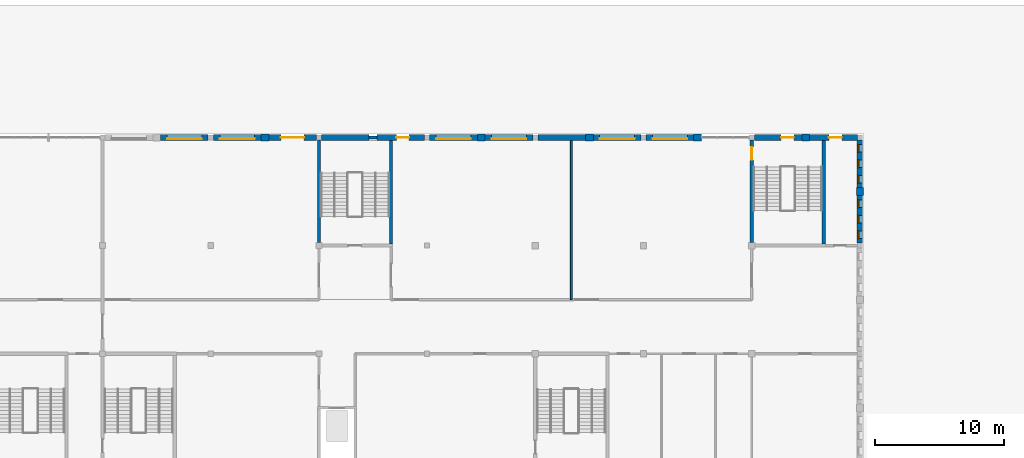
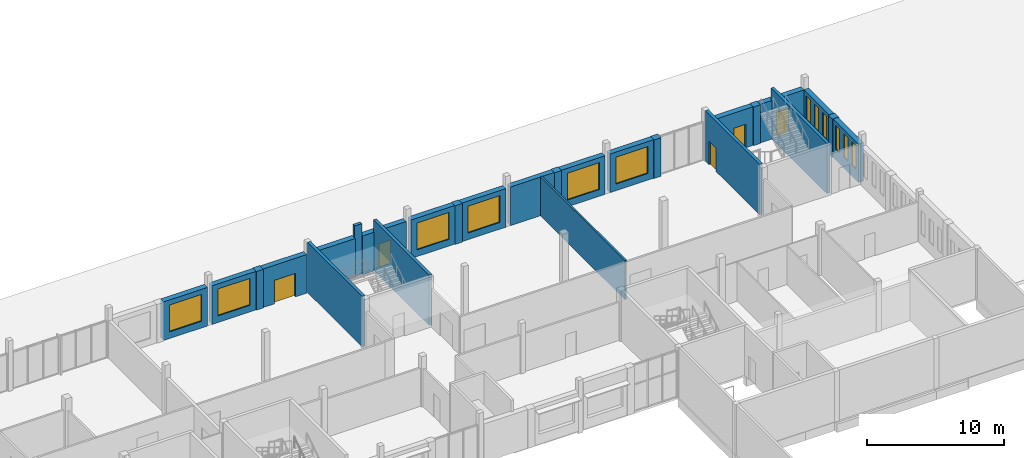
# One storey, part 90 of 101: 26 walls, 12 windows, 5 doors, 17 openings.
"""IFC4 building model written with IfcOpenShell, lengths in metres."""

from ifc_helpers import new_model, si_unit, direction, frame, frame_2d, origin, place, context, subcontext, project, spatial, rectangle, extrude, material, layer, layer_set, type_object, element, fill, save


model = new_model("IFC4")

# Units and contexts
model_context = context("Model", 3, precision=1e-05, world=origin(), true_north=direction((0.0, 1.0)))
body_context = subcontext(model_context, "Body", "Model", "MODEL_VIEW")
ifc_project = project(units=[si_unit("LENGTHUNIT", "METRE"), si_unit("AREAUNIT", "SQUARE_METRE"), si_unit("VOLUMEUNIT", "CUBIC_METRE"), si_unit("PLANEANGLEUNIT", "RADIAN"), si_unit("MASSUNIT", "GRAM", prefix="KILO")], contexts=[model_context])

# Site, building, storey
site_placement = place(None, origin())
site = spatial("IfcSite", under=ifc_project, at=site_placement, CompositionType="ELEMENT")
building_placement = place(site_placement, origin())
building = spatial("IfcBuilding", under=site, at=building_placement, Name="Fescue Hill Polytechnic", CompositionType="ELEMENT")
storey_placement = place(building_placement, frame((0.0, 0.0, 9.0)))
storey = spatial("IfcBuildingStorey", under=building, at=storey_placement, Name="L02", CompositionType="ELEMENT", Elevation=9.0)

# Walls
ifc_material_1 = material(Name="Clay brick masonry", Category="masonry")
ifc_layer_1 = layer(ifc_material_1, 0.550048828125)
ifc_layer_set_1 = layer_set([ifc_layer_1], Name="Clay brick masonry")
wall_type_1 = type_object("IfcWallType", Name="Brick pier 600x550", PredefinedType="SOLIDWALL", material=ifc_layer_set_1)
wall_1_placement = place(storey_placement, frame((117.60009765625, 129.89990234375, 0.0), z_axis=(0.0, 0.0, 1.0), x_axis=(0.0, 1.0, 0.0)))
element("IfcWall", 1, at=wall_1_placement, inside=storey, type_object=wall_type_1, Name="PR-L02-V4b-3", PredefinedType="SOLIDWALL", context=body_context, shape_type="SweptSolid", body=[
    extrude(rectangle(XDim=0.60009765625, YDim=0.550048828125, at=frame_2d((0.300048828125, 0.0))), origin(), (0.0, 0.0, 1.0), 3.449951171875),
])
wall_2_placement = place(storey_placement, frame((113.699951171875, 134.39990234375, 0.0), z_axis=(0.0, 0.0, 1.0), x_axis=(-1.0, 0.0, 0.0)))
element("IfcWall", 2, at=wall_2_placement, inside=storey, type_object=wall_type_1, Name="PR-L02-V4b-4", PredefinedType="SOLIDWALL", context=body_context, shape_type="SweptSolid", body=[
    extrude(rectangle(XDim=0.599853515625, YDim=0.550048828125, at=frame_2d((0.2998046875, 0.0))), origin(), (0.0, 0.0, 1.0), 3.449951171875),
])
wall_3_placement = place(storey_placement, frame((105.300048828125, 134.39990234375, 0.0), z_axis=(0.0, 0.0, 1.0), x_axis=(-1.0, 0.0, 0.0)))
element("IfcWall", 3, at=wall_3_placement, inside=storey, type_object=wall_type_1, Name="PR-L02-V4b-5", PredefinedType="SOLIDWALL", context=body_context, shape_type="SweptSolid", body=[
    extrude(rectangle(XDim=0.60009765625, YDim=0.550048828125, at=frame_2d((0.300048828125, 0.0))), origin(), (0.0, 0.0, 1.0), 3.449951171875),
])
wall_4_placement = place(storey_placement, frame((96.89990234375, 134.39990234375, 0.0), z_axis=(0.0, 0.0, 1.0), x_axis=(-1.0, 0.0, 0.0)))
element("IfcWall", 4, at=wall_4_placement, inside=storey, type_object=wall_type_1, Name="PR-L02-V4b-6", PredefinedType="SOLIDWALL", context=body_context, shape_type="SweptSolid", body=[
    extrude(rectangle(XDim=0.599853515625, YDim=0.550048828125, at=frame_2d((0.2998046875, 0.0))), origin(), (0.0, 0.0, 1.0), 3.449951171875),
])
wall_5_placement = place(storey_placement, frame((88.5, 134.39990234375, 0.0), z_axis=(0.0, 0.0, 1.0), x_axis=(-1.0, 0.0, 0.0)))
element("IfcWall", 5, at=wall_5_placement, inside=storey, type_object=wall_type_1, Name="PR-L02-V4b-7", PredefinedType="SOLIDWALL", context=body_context, shape_type="SweptSolid", body=[
    extrude(rectangle(XDim=0.60009765625, YDim=0.550048828125, at=frame_2d((0.300048828125, 0.0))), origin(), (0.0, 0.0, 1.0), 3.449951171875),
])
wall_6_placement = place(storey_placement, frame((71.699951171875, 134.39990234375, 0.0), z_axis=(0.0, 0.0, 1.0), x_axis=(-1.0, 0.0, 0.0)))
element("IfcWall", 6, at=wall_6_placement, inside=storey, type_object=wall_type_1, Name="PR-L02-V4b-9", PredefinedType="SOLIDWALL", context=body_context, shape_type="SweptSolid", body=[
    extrude(rectangle(XDim=0.599853515625, YDim=0.550048828125, at=frame_2d((0.2998046875, 0.0))), origin(), (0.0, 0.0, 1.0), 3.449951171875),
])

# Wall, opening, door
ifc_material_2 = material(Name="Concrete 40 MPa", Category="concrete")
ifc_layer_2 = layer(ifc_material_2, 0.25)
ifc_layer_set_2 = layer_set([ifc_layer_2], Name="Concrete 40 MPa")
wall_type_2 = type_object("IfcWallType", Name="Core wall 250", PredefinedType="SHEAR", material=ifc_layer_set_2)
wall_7_placement = place(storey_placement, frame((109.199951171875, 126.25, 0.0), z_axis=(0.0, 0.0, 1.0), x_axis=(0.0, 1.0, 0.0)))
wall_7 = element("IfcWall", 7, at=wall_7_placement, inside=storey, type_object=wall_type_2, Name="CW-L02-ST-V4b-2-31", PredefinedType="SHEAR", context=body_context, shape_type="SweptSolid", body=[
    extrude(rectangle(XDim=7.949951171875, YDim=0.25, at=frame_2d((3.97509765625, 0.0))), origin(), (0.0, 0.0, 1.0), 4.5),
])
opening_1_placement = place(wall_7_placement, frame((6.39990234375, 0.0, 0.0)))
opening_1 = element("IfcOpeningElement", 8, at=opening_1_placement, cuts=wall_7, Name="Opening D2096", PredefinedType="OPENING", context=body_context, shape_type="SweptSolid", body=[
    extrude(rectangle(XDim=1.0, YDim=2.10009765625, at=frame_2d((0.5, 1.050048828125))), frame((0.0, 0.135009765625, 0.0), z_axis=(0.0, -1.0, 0.0), x_axis=(1.0, 0.0, 0.0)), (0.0, 0.0, 1.0), 0.27001953125),
])
ifc_material_3 = material(Name="Steel fire door", Category="steel")
door_type_1 = type_object("IfcDoorType", Name="Door single swing 1000x2100 stair fire rated", OperationType="NOTDEFINED", PredefinedType="DOOR", material=ifc_material_3)
door_1_placement = place(opening_1_placement, origin())
door_1 = element("IfcDoor", 9, at=door_1_placement, inside=storey, type_object=door_type_1, Name="L02 ST-V4b-2 stair door", OperationType="SINGLE_SWING_RIGHT", OverallHeight=2.10009765625, OverallWidth=1.0, PredefinedType="DOOR", context=body_context, shape_type="SweptSolid", body=[
    extrude(rectangle(XDim=1.0, YDim=2.10009765625, at=frame_2d((0.5, 1.050048828125))), frame((0.0, 0.02490234375, 0.0), z_axis=(0.0, -1.0, 0.0), x_axis=(1.0, 0.0, 0.0)), (0.0, 0.0, 1.0), 0.050048828125),
])
fill(opening_1, door_1)

# Walls
wall_8_placement = place(storey_placement, frame((114.800048828125, 126.125, 0.0), z_axis=(0.0, 0.0, 1.0), x_axis=(0.0, 1.0, 0.0)))
element("IfcWall", 10, at=wall_8_placement, inside=storey, type_object=wall_type_2, Name="CW-L02-ST-V4b-2-41", PredefinedType="SHEAR", context=body_context, shape_type="SweptSolid", body=[
    extrude(rectangle(XDim=8.14990234375, YDim=0.25, at=frame_2d((4.074951171875, 0.0))), origin(), (0.0, 0.0, 1.0), 4.5),
])
wall_9_placement = place(storey_placement, frame((75.60009765625, 126.22509765625, 0.0), z_axis=(0.0, 0.0, 1.0), x_axis=(0.0, 1.0, 0.0)))
element("IfcWall", 11, at=wall_9_placement, inside=storey, type_object=wall_type_2, Name="CW-L02-ST-V4b-4-31", PredefinedType="SHEAR", context=body_context, shape_type="SweptSolid", body=[
    extrude(rectangle(XDim=7.974853515625, YDim=0.25, at=frame_2d((3.9873046875, 0.0))), origin(), (0.0, 0.0, 1.0), 4.5),
])
wall_10_placement = place(storey_placement, frame((81.199951171875, 126.125, 0.0), z_axis=(0.0, 0.0, 1.0), x_axis=(0.0, 1.0, 0.0)))
element("IfcWall", 12, at=wall_10_placement, inside=storey, type_object=wall_type_2, Name="CW-L02-ST-V4b-4-41", PredefinedType="SHEAR", context=body_context, shape_type="SweptSolid", body=[
    extrude(rectangle(XDim=8.14990234375, YDim=0.25, at=frame_2d((4.074951171875, 0.0))), origin(), (0.0, 0.0, 1.0), 4.5),
])
wall_11_placement = place(storey_placement, frame((79.5, 134.39990234375, 0.0), z_axis=(0.0, 0.0, 1.0), x_axis=(1.0, 0.0, 0.0)))
element("IfcWall", 13, at=wall_11_placement, inside=storey, type_object=wall_type_2, Name="SCW-L02-ST-V4b-4-n1", PredefinedType="SHEAR", context=body_context, shape_type="SweptSolid", body=[
    extrude(rectangle(XDim=0.60009765625, YDim=0.25, at=frame_2d((0.300048828125, 0.0))), origin(), (0.0, 0.0, 1.0), 4.5),
])

# Wall, opening, window
ifc_layer_3 = layer(ifc_material_2, 0.449951171875)
ifc_layer_set_3 = layer_set([ifc_layer_3], Name="Concrete 40 MPa")
wall_type_3 = type_object("IfcWallType", Name="Exterior wall board-marked concrete 450", PredefinedType="SOLIDWALL", material=ifc_layer_set_3)
wall_12_placement = place(storey_placement, frame((104.699951171875, 134.39990234375, 0.0), z_axis=(0.0, 0.0, 1.0), x_axis=(-1.0, 0.0, 0.0)))
wall_12 = element("IfcWall", 14, at=wall_12_placement, inside=storey, type_object=wall_type_3, Name="EW-L02-V4b-10", PredefinedType="SOLIDWALL", context=body_context, shape_type="SweptSolid", body=[
    extrude(rectangle(XDim=3.699951171875, YDim=0.449951171875, at=frame_2d((1.85009765625, 0.0))), origin(), (0.0, 0.0, 1.0), 3.449951171875),
])
opening_2_placement = place(wall_12_placement, frame((0.5, 0.0, 0.60009765625)))
opening_2 = element("IfcOpeningElement", 15, at=opening_2_placement, cuts=wall_12, Name="Opening W16R", PredefinedType="OPENING", context=body_context, shape_type="SweptSolid", body=[
    extrude(rectangle(XDim=2.699951171875, YDim=2.39990234375, at=frame_2d((1.35009765625, 1.199951171875))), frame((0.0, 0.23486328125, 0.0), z_axis=(0.0, -1.0, 0.0), x_axis=(1.0, 0.0, 0.0)), (0.0, 0.0, 1.0), 0.469970703125),
])
ifc_material_4 = material(Name="Powder-coated aluminium and glass", Category="aluminium")
window_type_1 = type_object("IfcWindowType", Name="Window studio north-light 2700x2400", PartitioningType="TRIPLE_PANEL_VERTICAL", PredefinedType="WINDOW", material=ifc_material_4)
window_1_placement = place(opening_2_placement, origin())
window_1 = element("IfcWindow", 16, at=window_1_placement, inside=storey, type_object=window_type_1, Name="WN-L02-V4b-19", OverallHeight=2.39990234375, OverallWidth=2.699951171875, PartitioningType="SINGLE_PANEL", PredefinedType="WINDOW", context=body_context, shape_type="SweptSolid", body=[
    extrude(rectangle(XDim=2.699951171875, YDim=2.39990234375, at=frame_2d((1.35009765625, 1.199951171875))), frame((0.0, 0.135009765625, 0.0), z_axis=(0.0, -1.0, 0.0), x_axis=(1.0, 0.0, 0.0)), (0.0, 0.0, 1.0), 0.06005859375),
])
fill(opening_2, window_1)

wall_13_placement = place(storey_placement, frame((100.60009765625, 134.39990234375, 0.0), z_axis=(0.0, 0.0, 1.0), x_axis=(-1.0, 0.0, 0.0)))
wall_13 = element("IfcWall", 17, at=wall_13_placement, inside=storey, type_object=wall_type_3, Name="EW-L02-V4b-11", PredefinedType="SOLIDWALL", context=body_context, shape_type="SweptSolid", body=[
    extrude(rectangle(XDim=3.7001953125, YDim=0.449951171875, at=frame_2d((1.85009765625, 0.0))), origin(), (0.0, 0.0, 1.0), 3.449951171875),
])
opening_3_placement = place(wall_13_placement, frame((0.5, 0.0, 0.60009765625)))
opening_3 = element("IfcOpeningElement", 18, at=opening_3_placement, cuts=wall_13, Name="Opening W16R", PredefinedType="OPENING", context=body_context, shape_type="SweptSolid", body=[
    extrude(rectangle(XDim=2.699951171875, YDim=2.39990234375, at=frame_2d((1.35009765625, 1.199951171875))), frame((0.0, 0.23486328125, 0.0), z_axis=(0.0, -1.0, 0.0), x_axis=(1.0, 0.0, 0.0)), (0.0, 0.0, 1.0), 0.469970703125),
])
window_2_placement = place(opening_3_placement, origin())
window_2 = element("IfcWindow", 19, at=window_2_placement, inside=storey, type_object=window_type_1, Name="WN-L02-V4b-20", OverallHeight=2.39990234375, OverallWidth=2.699951171875, PartitioningType="SINGLE_PANEL", PredefinedType="WINDOW", context=body_context, shape_type="SweptSolid", body=[
    extrude(rectangle(XDim=2.699951171875, YDim=2.39990234375, at=frame_2d((1.35009765625, 1.199951171875))), frame((0.0, 0.135009765625, 0.0), z_axis=(0.0, -1.0, 0.0), x_axis=(1.0, 0.0, 0.0)), (0.0, 0.0, 1.0), 0.06005859375),
])
fill(opening_3, window_2)

# Wall
wall_14_placement = place(storey_placement, frame((96.300048828125, 134.39990234375, 0.0), z_axis=(0.0, 0.0, 1.0), x_axis=(-1.0, 0.0, 0.0)))
element("IfcWall", 20, at=wall_14_placement, inside=storey, type_object=wall_type_3, Name="EW-L02-V4b-12", PredefinedType="SOLIDWALL", context=body_context, shape_type="SweptSolid", body=[
    extrude(rectangle(XDim=3.699951171875, YDim=0.449951171875, at=frame_2d((1.85009765625, 0.0))), origin(), (0.0, 0.0, 1.0), 3.449951171875),
])

# Wall, opening, window
wall_15_placement = place(storey_placement, frame((92.199951171875, 134.39990234375, 0.0), z_axis=(0.0, 0.0, 1.0), x_axis=(-1.0, 0.0, 0.0)))
wall_15 = element("IfcWall", 21, at=wall_15_placement, inside=storey, type_object=wall_type_3, Name="EW-L02-V4b-13", PredefinedType="SOLIDWALL", context=body_context, shape_type="SweptSolid", body=[
    extrude(rectangle(XDim=3.699951171875, YDim=0.449951171875, at=frame_2d((1.85009765625, 0.0))), origin(), (0.0, 0.0, 1.0), 3.449951171875),
])
opening_4_placement = place(wall_15_placement, frame((0.5, 0.0, 0.60009765625)))
opening_4 = element("IfcOpeningElement", 22, at=opening_4_placement, cuts=wall_15, Name="Opening W16R", PredefinedType="OPENING", context=body_context, shape_type="SweptSolid", body=[
    extrude(rectangle(XDim=2.699951171875, YDim=2.39990234375, at=frame_2d((1.35009765625, 1.199951171875))), frame((0.0, 0.23486328125, 0.0), z_axis=(0.0, -1.0, 0.0), x_axis=(1.0, 0.0, 0.0)), (0.0, 0.0, 1.0), 0.469970703125),
])
window_3_placement = place(opening_4_placement, origin())
window_3 = element("IfcWindow", 23, at=window_3_placement, inside=storey, type_object=window_type_1, Name="WN-L02-V4b-21", OverallHeight=2.39990234375, OverallWidth=2.699951171875, PartitioningType="SINGLE_PANEL", PredefinedType="WINDOW", context=body_context, shape_type="SweptSolid", body=[
    extrude(rectangle(XDim=2.699951171875, YDim=2.39990234375, at=frame_2d((1.35009765625, 1.199951171875))), frame((0.0, 0.135009765625, 0.0), z_axis=(0.0, -1.0, 0.0), x_axis=(1.0, 0.0, 0.0)), (0.0, 0.0, 1.0), 0.06005859375),
])
fill(opening_4, window_3)

wall_16_placement = place(storey_placement, frame((87.89990234375, 134.39990234375, 0.0), z_axis=(0.0, 0.0, 1.0), x_axis=(-1.0, 0.0, 0.0)))
wall_16 = element("IfcWall", 24, at=wall_16_placement, inside=storey, type_object=wall_type_3, Name="EW-L02-V4b-14", PredefinedType="SOLIDWALL", context=body_context, shape_type="SweptSolid", body=[
    extrude(rectangle(XDim=3.699951171875, YDim=0.449951171875, at=frame_2d((1.85009765625, 0.0))), origin(), (0.0, 0.0, 1.0), 3.449951171875),
])
opening_5_placement = place(wall_16_placement, frame((0.5, 0.0, 0.60009765625)))
opening_5 = element("IfcOpeningElement", 25, at=opening_5_placement, cuts=wall_16, Name="Opening W16R", PredefinedType="OPENING", context=body_context, shape_type="SweptSolid", body=[
    extrude(rectangle(XDim=2.699951171875, YDim=2.39990234375, at=frame_2d((1.35009765625, 1.199951171875))), frame((0.0, 0.23486328125, 0.0), z_axis=(0.0, -1.0, 0.0), x_axis=(1.0, 0.0, 0.0)), (0.0, 0.0, 1.0), 0.469970703125),
])
window_4_placement = place(opening_5_placement, origin())
window_4 = element("IfcWindow", 26, at=window_4_placement, inside=storey, type_object=window_type_1, Name="WN-L02-V4b-22", OverallHeight=2.39990234375, OverallWidth=2.699951171875, PartitioningType="SINGLE_PANEL", PredefinedType="WINDOW", context=body_context, shape_type="SweptSolid", body=[
    extrude(rectangle(XDim=2.699951171875, YDim=2.39990234375, at=frame_2d((1.35009765625, 1.199951171875))), frame((0.0, 0.135009765625, 0.0), z_axis=(0.0, -1.0, 0.0), x_axis=(1.0, 0.0, 0.0)), (0.0, 0.0, 1.0), 0.06005859375),
])
fill(opening_5, window_4)

# Wall, opening, door
wall_17_placement = place(storey_placement, frame((75.39990234375, 134.39990234375, 0.0), z_axis=(0.0, 0.0, 1.0), x_axis=(-1.0, 0.0, 0.0)))
wall_17 = element("IfcWall", 27, at=wall_17_placement, inside=storey, type_object=wall_type_3, Name="EW-L02-V4b-17", PredefinedType="SOLIDWALL", context=body_context, shape_type="SweptSolid", body=[
    extrude(rectangle(XDim=3.699951171875, YDim=0.449951171875, at=frame_2d((1.85009765625, 0.0))), origin(), (0.0, 0.0, 1.0), 3.449951171875),
])
opening_6_placement = place(wall_17_placement, frame((0.949951171875, 0.0, 0.0)))
opening_6 = element("IfcOpeningElement", 28, at=opening_6_placement, cuts=wall_17, Name="Opening D2007", PredefinedType="OPENING", context=body_context, shape_type="SweptSolid", body=[
    extrude(rectangle(XDim=1.800048828125, YDim=2.10009765625, at=frame_2d((0.89990234375, 1.050048828125))), frame((0.0, 0.23486328125, 0.0), z_axis=(0.0, -1.0, 0.0), x_axis=(1.0, 0.0, 0.0)), (0.0, 0.0, 1.0), 0.469970703125),
])
ifc_material_5 = material(Name="Hollow metal")
door_type_2 = type_object("IfcDoorType", Name="Door exit double 1800x2100 fire rated", OperationType="DOUBLE_DOOR_SINGLE_SWING", PredefinedType="DOOR", material=ifc_material_5)
door_2_placement = place(opening_6_placement, origin())
door_2 = element("IfcDoor", 29, at=door_2_placement, inside=storey, type_object=door_type_2, Name="Door D2007", OperationType="SINGLE_SWING_LEFT", OverallHeight=2.10009765625, OverallWidth=1.800048828125, PredefinedType="DOOR", context=body_context, shape_type="SweptSolid", body=[
    extrude(rectangle(XDim=1.800048828125, YDim=2.10009765625, at=frame_2d((0.89990234375, 1.050048828125))), frame((0.0, 0.02490234375, 0.0), z_axis=(0.0, -1.0, 0.0), x_axis=(1.0, 0.0, 0.0)), (0.0, 0.0, 1.0), 0.050048828125),
])
fill(opening_6, door_2)

# Wall, opening, window
wall_18_placement = place(storey_placement, frame((71.10009765625, 134.39990234375, 0.0), z_axis=(0.0, 0.0, 1.0), x_axis=(-1.0, 0.0, 0.0)))
wall_18 = element("IfcWall", 30, at=wall_18_placement, inside=storey, type_object=wall_type_3, Name="EW-L02-V4b-18", PredefinedType="SOLIDWALL", context=body_context, shape_type="SweptSolid", body=[
    extrude(rectangle(XDim=3.7001953125, YDim=0.449951171875, at=frame_2d((1.85009765625, 0.0))), origin(), (0.0, 0.0, 1.0), 3.449951171875),
])
opening_7_placement = place(wall_18_placement, frame((0.5, 0.0, 0.60009765625)))
opening_7 = element("IfcOpeningElement", 31, at=opening_7_placement, cuts=wall_18, Name="Opening W16R", PredefinedType="OPENING", context=body_context, shape_type="SweptSolid", body=[
    extrude(rectangle(XDim=2.699951171875, YDim=2.39990234375, at=frame_2d((1.35009765625, 1.199951171875))), frame((0.0, 0.23486328125, 0.0), z_axis=(0.0, -1.0, 0.0), x_axis=(1.0, 0.0, 0.0)), (0.0, 0.0, 1.0), 0.469970703125),
])
window_5_placement = place(opening_7_placement, origin())
window_5 = element("IfcWindow", 32, at=window_5_placement, inside=storey, type_object=window_type_1, Name="WN-L02-V4b-23", OverallHeight=2.39990234375, OverallWidth=2.699951171875, PartitioningType="SINGLE_PANEL", PredefinedType="WINDOW", context=body_context, shape_type="SweptSolid", body=[
    extrude(rectangle(XDim=2.699951171875, YDim=2.39990234375, at=frame_2d((1.35009765625, 1.199951171875))), frame((0.0, 0.135009765625, 0.0), z_axis=(0.0, -1.0, 0.0), x_axis=(1.0, 0.0, 0.0)), (0.0, 0.0, 1.0), 0.06005859375),
])
fill(opening_7, window_5)

wall_19_placement = place(storey_placement, frame((67.0, 134.39990234375, 0.0), z_axis=(0.0, 0.0, 1.0), x_axis=(-1.0, 0.0, 0.0)))
wall_19 = element("IfcWall", 33, at=wall_19_placement, inside=storey, type_object=wall_type_3, Name="EW-L02-V4b-19", PredefinedType="SOLIDWALL", context=body_context, shape_type="SweptSolid", body=[
    extrude(rectangle(XDim=3.699951171875, YDim=0.449951171875, at=frame_2d((1.85009765625, 0.0))), origin(), (0.0, 0.0, 1.0), 3.449951171875),
])
opening_8_placement = place(wall_19_placement, frame((0.5, 0.0, 0.60009765625)))
opening_8 = element("IfcOpeningElement", 34, at=opening_8_placement, cuts=wall_19, Name="Opening W16R", PredefinedType="OPENING", context=body_context, shape_type="SweptSolid", body=[
    extrude(rectangle(XDim=2.699951171875, YDim=2.39990234375, at=frame_2d((1.35009765625, 1.199951171875))), frame((0.0, 0.23486328125, 0.0), z_axis=(0.0, -1.0, 0.0), x_axis=(1.0, 0.0, 0.0)), (0.0, 0.0, 1.0), 0.469970703125),
])
window_6_placement = place(opening_8_placement, origin())
window_6 = element("IfcWindow", 35, at=window_6_placement, inside=storey, type_object=window_type_1, Name="WN-L02-V4b-24", OverallHeight=2.39990234375, OverallWidth=2.699951171875, PartitioningType="SINGLE_PANEL", PredefinedType="WINDOW", context=body_context, shape_type="SweptSolid", body=[
    extrude(rectangle(XDim=2.699951171875, YDim=2.39990234375, at=frame_2d((1.35009765625, 1.199951171875))), frame((0.0, 0.135009765625, 0.0), z_axis=(0.0, -1.0, 0.0), x_axis=(1.0, 0.0, 0.0)), (0.0, 0.0, 1.0), 0.06005859375),
])
fill(opening_8, window_6)

# Wall, opening, door
ifc_layer_4 = layer(ifc_material_2, 0.449951171875)
ifc_layer_set_4 = layer_set([ifc_layer_4], Name="Concrete 40 MPa")
wall_type_4 = type_object("IfcWallType", Name="Exterior wall board-marked concrete 450 load-bearing", PredefinedType="SOLIDWALL", material=ifc_layer_set_4)
wall_20_placement = place(storey_placement, frame((117.39990234375, 134.39990234375, 0.0), z_axis=(0.0, 0.0, 1.0), x_axis=(-1.0, 0.0, 0.0)))
wall_20 = element("IfcWall", 36, at=wall_20_placement, inside=storey, type_object=wall_type_4, Name="EW-L02-V4b-7", PredefinedType="SOLIDWALL", context=body_context, shape_type="SweptSolid", body=[
    extrude(rectangle(XDim=3.699951171875, YDim=0.449951171875, at=frame_2d((1.85009765625, 0.0))), origin(), (0.0, 0.0, 1.0), 3.449951171875),
])
opening_9_placement = place(wall_20_placement, frame((1.199951171875, 0.0, 0.0)))
opening_9 = element("IfcOpeningElement", 37, at=opening_9_placement, cuts=wall_20, Name="Opening D2005", PredefinedType="OPENING", context=body_context, shape_type="SweptSolid", body=[
    extrude(rectangle(XDim=1.0, YDim=2.10009765625, at=frame_2d((0.5, 1.050048828125))), frame((0.0, 0.23486328125, 0.0), z_axis=(0.0, -1.0, 0.0), x_axis=(1.0, 0.0, 0.0)), (0.0, 0.0, 1.0), 0.469970703125),
])
door_type_3 = type_object("IfcDoorType", Name="Door exit single 1000x2100 fire rated", OperationType="SINGLE_SWING_LEFT", PredefinedType="DOOR", material=ifc_material_5)
door_3_placement = place(opening_9_placement, origin())
door_3 = element("IfcDoor", 38, at=door_3_placement, inside=storey, type_object=door_type_3, Name="Door D2005", OperationType="SINGLE_SWING_LEFT", OverallHeight=2.10009765625, OverallWidth=1.0, PredefinedType="DOOR", context=body_context, shape_type="SweptSolid", body=[
    extrude(rectangle(XDim=1.0, YDim=2.10009765625, at=frame_2d((0.5, 1.050048828125))), frame((0.0, 0.02490234375, 0.0), z_axis=(0.0, -1.0, 0.0), x_axis=(1.0, 0.0, 0.0)), (0.0, 0.0, 1.0), 0.050048828125),
])
fill(opening_9, door_3)

wall_21_placement = place(storey_placement, frame((113.10009765625, 134.39990234375, 0.0), z_axis=(0.0, 0.0, 1.0), x_axis=(-1.0, 0.0, 0.0)))
wall_21 = element("IfcWall", 39, at=wall_21_placement, inside=storey, type_object=wall_type_4, Name="EW-L02-V4b-8", PredefinedType="SOLIDWALL", context=body_context, shape_type="SweptSolid", body=[
    extrude(rectangle(XDim=3.7001953125, YDim=0.449951171875, at=frame_2d((1.85009765625, 0.0))), origin(), (0.0, 0.0, 1.0), 3.449951171875),
])
opening_10_placement = place(wall_21_placement, frame((1.625, 0.0, 0.0), z_axis=(0.0, 0.0, 1.0), x_axis=(-1.0, 0.0, 0.0)))
opening_10 = element("IfcOpeningElement", 40, at=opening_10_placement, cuts=wall_21, Name="Opening D2097", PredefinedType="OPENING", context=body_context, shape_type="SweptSolid", body=[
    extrude(rectangle(XDim=1.0, YDim=2.10009765625, at=frame_2d((0.5, 1.050048828125))), frame((0.0, 0.23486328125, 0.0), z_axis=(0.0, -1.0, 0.0), x_axis=(1.0, 0.0, 0.0)), (0.0, 0.0, 1.0), 0.469970703125),
])
door_4_placement = place(opening_10_placement, origin())
door_4 = element("IfcDoor", 41, at=door_4_placement, inside=storey, type_object=door_type_3, Name="Door D2097", OperationType="SINGLE_SWING_LEFT", OverallHeight=2.10009765625, OverallWidth=1.0, PredefinedType="DOOR", context=body_context, shape_type="SweptSolid", body=[
    extrude(rectangle(XDim=1.0, YDim=2.10009765625, at=frame_2d((0.5, 1.050048828125))), frame((0.0, 0.02490234375, 0.0), z_axis=(0.0, -1.0, 0.0), x_axis=(1.0, 0.0, 0.0)), (0.0, 0.0, 1.0), 0.050048828125),
])
fill(opening_10, door_4)

wall_22_placement = place(storey_placement, frame((83.800048828125, 134.39990234375, 0.0), z_axis=(0.0, 0.0, 1.0), x_axis=(-1.0, 0.0, 0.0)))
wall_22 = element("IfcWall", 42, at=wall_22_placement, inside=storey, type_object=wall_type_4, Name="EW-L02-V4b-15", PredefinedType="SOLIDWALL", context=body_context, shape_type="SweptSolid", body=[
    extrude(rectangle(XDim=3.699951171875, YDim=0.449951171875, at=frame_2d((1.85009765625, 0.0))), origin(), (0.0, 0.0, 1.0), 3.449951171875),
])
opening_11_placement = place(wall_22_placement, frame((1.199951171875, 0.0, 0.0)))
opening_11 = element("IfcOpeningElement", 43, at=opening_11_placement, cuts=wall_22, Name="Opening D2006", PredefinedType="OPENING", context=body_context, shape_type="SweptSolid", body=[
    extrude(rectangle(XDim=1.0, YDim=2.10009765625, at=frame_2d((0.5, 1.050048828125))), frame((0.0, 0.23486328125, 0.0), z_axis=(0.0, -1.0, 0.0), x_axis=(1.0, 0.0, 0.0)), (0.0, 0.0, 1.0), 0.469970703125),
])
door_5_placement = place(opening_11_placement, origin())
door_5 = element("IfcDoor", 44, at=door_5_placement, inside=storey, type_object=door_type_3, Name="Door D2006", OperationType="SINGLE_SWING_LEFT", OverallHeight=2.10009765625, OverallWidth=1.0, PredefinedType="DOOR", context=body_context, shape_type="SweptSolid", body=[
    extrude(rectangle(XDim=1.0, YDim=2.10009765625, at=frame_2d((0.5, 1.050048828125))), frame((0.0, 0.02490234375, 0.0), z_axis=(0.0, -1.0, 0.0), x_axis=(1.0, 0.0, 0.0)), (0.0, 0.0, 1.0), 0.050048828125),
])
fill(opening_11, door_5)

# Wall
wall_23_placement = place(storey_placement, frame((79.5, 134.39990234375, 0.0), z_axis=(0.0, 0.0, 1.0), x_axis=(-1.0, 0.0, 0.0)))
element("IfcWall", 45, at=wall_23_placement, inside=storey, type_object=wall_type_4, Name="EW-L02-V4b-16", PredefinedType="SOLIDWALL", context=body_context, shape_type="SweptSolid", body=[
    extrude(rectangle(XDim=3.699951171875, YDim=0.449951171875, at=frame_2d((1.85009765625, 0.0))), origin(), (0.0, 0.0, 1.0), 3.449951171875),
])

# Wall, openings, windows
ifc_layer_5 = layer(ifc_material_1, 0.419921875)
ifc_layer_set_5 = layer_set([ifc_layer_5], Name="Clay brick masonry")
wall_type_5 = type_object("IfcWallType", Name="Exterior wall buff-red brick cavity 420", PredefinedType="SOLIDWALL", material=ifc_layer_set_5)
wall_24_placement = place(storey_placement, frame((117.60009765625, 126.199951171875, 0.0), z_axis=(0.0, 0.0, 1.0), x_axis=(0.0, 1.0, 0.0)))
wall_24 = element("IfcWall", 46, at=wall_24_placement, inside=storey, type_object=wall_type_5, Name="EW-L02-V4b-5", PredefinedType="SOLIDWALL", context=body_context, shape_type="SweptSolid", body=[
    extrude(rectangle(XDim=3.699951171875, YDim=0.419921875, at=frame_2d((1.85009765625, 0.0))), origin(), (0.0, 0.0, 1.0), 3.449951171875),
])
opening_12_placement = place(wall_24_placement, frame((0.35009765625, 0.0, 1.0)))
opening_12 = element("IfcOpeningElement", 47, at=opening_12_placement, cuts=wall_24, Name="Opening W6", PredefinedType="OPENING", context=body_context, shape_type="SweptSolid", body=[
    extrude(rectangle(XDim=0.60009765625, YDim=2.10009765625, at=frame_2d((0.300048828125, 1.050048828125))), frame((0.0, 0.219970703125, 0.0), z_axis=(0.0, -1.0, 0.0), x_axis=(1.0, 0.0, 0.0)), (0.0, 0.0, 1.0), 0.43994140625),
])
opening_13_placement = place(wall_24_placement, frame((1.550048828125, 0.0, 1.0)))
opening_13 = element("IfcOpeningElement", 48, at=opening_13_placement, cuts=wall_24, Name="Opening W6", PredefinedType="OPENING", context=body_context, shape_type="SweptSolid", body=[
    extrude(rectangle(XDim=0.60009765625, YDim=2.10009765625, at=frame_2d((0.300048828125, 1.050048828125))), frame((0.0, 0.219970703125, 0.0), z_axis=(0.0, -1.0, 0.0), x_axis=(1.0, 0.0, 0.0)), (0.0, 0.0, 1.0), 0.43994140625),
])
opening_14_placement = place(wall_24_placement, frame((2.75, 0.0, 1.0)))
opening_14 = element("IfcOpeningElement", 49, at=opening_14_placement, cuts=wall_24, Name="Opening W6", PredefinedType="OPENING", context=body_context, shape_type="SweptSolid", body=[
    extrude(rectangle(XDim=0.60009765625, YDim=2.10009765625, at=frame_2d((0.300048828125, 1.050048828125))), frame((0.0, 0.219970703125, 0.0), z_axis=(0.0, -1.0, 0.0), x_axis=(1.0, 0.0, 0.0)), (0.0, 0.0, 1.0), 0.43994140625),
])
window_type_2 = type_object("IfcWindowType", Name="Window slot 600x2100", PartitioningType="SINGLE_PANEL", PredefinedType="WINDOW", material=ifc_material_4)
window_7_placement = place(opening_12_placement, origin())
window_7 = element("IfcWindow", 50, at=window_7_placement, inside=storey, type_object=window_type_2, Name="WN-L02-V4b-13", OverallHeight=2.10009765625, OverallWidth=0.60009765625, PartitioningType="SINGLE_PANEL", PredefinedType="WINDOW", context=body_context, shape_type="SweptSolid", body=[
    extrude(rectangle(XDim=0.60009765625, YDim=2.10009765625, at=frame_2d((0.300048828125, 1.050048828125))), frame((0.0, 0.150146484375, 0.0), z_axis=(0.0, -1.0, 0.0), x_axis=(1.0, 0.0, 0.0)), (0.0, 0.0, 1.0), 0.06005859375),
])
fill(opening_12, window_7)
window_8_placement = place(opening_13_placement, origin())
window_8 = element("IfcWindow", 51, at=window_8_placement, inside=storey, type_object=window_type_2, Name="WN-L02-V4b-14", OverallHeight=2.10009765625, OverallWidth=0.60009765625, PartitioningType="SINGLE_PANEL", PredefinedType="WINDOW", context=body_context, shape_type="SweptSolid", body=[
    extrude(rectangle(XDim=0.60009765625, YDim=2.10009765625, at=frame_2d((0.300048828125, 1.050048828125))), frame((0.0, 0.150146484375, 0.0), z_axis=(0.0, -1.0, 0.0), x_axis=(1.0, 0.0, 0.0)), (0.0, 0.0, 1.0), 0.06005859375),
])
fill(opening_13, window_8)
window_9_placement = place(opening_14_placement, origin())
window_9 = element("IfcWindow", 52, at=window_9_placement, inside=storey, type_object=window_type_2, Name="WN-L02-V4b-15", OverallHeight=2.10009765625, OverallWidth=0.60009765625, PartitioningType="SINGLE_PANEL", PredefinedType="WINDOW", context=body_context, shape_type="SweptSolid", body=[
    extrude(rectangle(XDim=0.60009765625, YDim=2.10009765625, at=frame_2d((0.300048828125, 1.050048828125))), frame((0.0, 0.150146484375, 0.0), z_axis=(0.0, -1.0, 0.0), x_axis=(1.0, 0.0, 0.0)), (0.0, 0.0, 1.0), 0.06005859375),
])
fill(opening_14, window_9)

wall_25_placement = place(storey_placement, frame((117.60009765625, 130.5, 0.0), z_axis=(0.0, 0.0, 1.0), x_axis=(0.0, 1.0, 0.0)))
wall_25 = element("IfcWall", 53, at=wall_25_placement, inside=storey, type_object=wall_type_5, Name="EW-L02-V4b-6", PredefinedType="SOLIDWALL", context=body_context, shape_type="SweptSolid", body=[
    extrude(rectangle(XDim=3.699951171875, YDim=0.419921875, at=frame_2d((1.85009765625, 0.0))), origin(), (0.0, 0.0, 1.0), 3.449951171875),
])
opening_15_placement = place(wall_25_placement, frame((0.35009765625, 0.0, 1.0)))
opening_15 = element("IfcOpeningElement", 54, at=opening_15_placement, cuts=wall_25, Name="Opening W6", PredefinedType="OPENING", context=body_context, shape_type="SweptSolid", body=[
    extrude(rectangle(XDim=0.60009765625, YDim=2.10009765625, at=frame_2d((0.300048828125, 1.050048828125))), frame((0.0, 0.219970703125, 0.0), z_axis=(0.0, -1.0, 0.0), x_axis=(1.0, 0.0, 0.0)), (0.0, 0.0, 1.0), 0.43994140625),
])
opening_16_placement = place(wall_25_placement, frame((1.550048828125, 0.0, 1.0)))
opening_16 = element("IfcOpeningElement", 55, at=opening_16_placement, cuts=wall_25, Name="Opening W6", PredefinedType="OPENING", context=body_context, shape_type="SweptSolid", body=[
    extrude(rectangle(XDim=0.60009765625, YDim=2.10009765625, at=frame_2d((0.300048828125, 1.050048828125))), frame((0.0, 0.219970703125, 0.0), z_axis=(0.0, -1.0, 0.0), x_axis=(1.0, 0.0, 0.0)), (0.0, 0.0, 1.0), 0.43994140625),
])
opening_17_placement = place(wall_25_placement, frame((2.75, 0.0, 1.0)))
opening_17 = element("IfcOpeningElement", 56, at=opening_17_placement, cuts=wall_25, Name="Opening W6", PredefinedType="OPENING", context=body_context, shape_type="SweptSolid", body=[
    extrude(rectangle(XDim=0.60009765625, YDim=2.10009765625, at=frame_2d((0.300048828125, 1.050048828125))), frame((0.0, 0.219970703125, 0.0), z_axis=(0.0, -1.0, 0.0), x_axis=(1.0, 0.0, 0.0)), (0.0, 0.0, 1.0), 0.43994140625),
])
window_10_placement = place(opening_15_placement, origin())
window_10 = element("IfcWindow", 57, at=window_10_placement, inside=storey, type_object=window_type_2, Name="WN-L02-V4b-16", OverallHeight=2.10009765625, OverallWidth=0.60009765625, PartitioningType="SINGLE_PANEL", PredefinedType="WINDOW", context=body_context, shape_type="SweptSolid", body=[
    extrude(rectangle(XDim=0.60009765625, YDim=2.10009765625, at=frame_2d((0.300048828125, 1.050048828125))), frame((0.0, 0.150146484375, 0.0), z_axis=(0.0, -1.0, 0.0), x_axis=(1.0, 0.0, 0.0)), (0.0, 0.0, 1.0), 0.06005859375),
])
fill(opening_15, window_10)
window_11_placement = place(opening_16_placement, origin())
window_11 = element("IfcWindow", 58, at=window_11_placement, inside=storey, type_object=window_type_2, Name="WN-L02-V4b-17", OverallHeight=2.10009765625, OverallWidth=0.60009765625, PartitioningType="SINGLE_PANEL", PredefinedType="WINDOW", context=body_context, shape_type="SweptSolid", body=[
    extrude(rectangle(XDim=0.60009765625, YDim=2.10009765625, at=frame_2d((0.300048828125, 1.050048828125))), frame((0.0, 0.150146484375, 0.0), z_axis=(0.0, -1.0, 0.0), x_axis=(1.0, 0.0, 0.0)), (0.0, 0.0, 1.0), 0.06005859375),
])
fill(opening_16, window_11)
window_12_placement = place(opening_17_placement, origin())
window_12 = element("IfcWindow", 59, at=window_12_placement, inside=storey, type_object=window_type_2, Name="WN-L02-V4b-18", OverallHeight=2.10009765625, OverallWidth=0.60009765625, PartitioningType="SINGLE_PANEL", PredefinedType="WINDOW", context=body_context, shape_type="SweptSolid", body=[
    extrude(rectangle(XDim=0.60009765625, YDim=2.10009765625, at=frame_2d((0.300048828125, 1.050048828125))), frame((0.0, 0.150146484375, 0.0), z_axis=(0.0, -1.0, 0.0), x_axis=(1.0, 0.0, 0.0)), (0.0, 0.0, 1.0), 0.06005859375),
])
fill(opening_17, window_12)

# Wall
ifc_material_6 = material(Name="Gypsum board partition")
ifc_layer_6 = layer(ifc_material_6, 0.14990234375)
ifc_layer_set_6 = layer_set([ifc_layer_6], Name="Gypsum board partition")
wall_type_6 = type_object("IfcWallType", Name="Partition stud 150 acoustic", PredefinedType="PARTITIONING", material=ifc_layer_set_6)
wall_26_placement = place(storey_placement, frame((95.199951171875, 121.800048828125, 0.0), z_axis=(0.0, 0.0, 1.0), x_axis=(0.0, 1.0, 0.0)))
element("IfcWall", 60, at=wall_26_placement, inside=storey, type_object=wall_type_6, Name="IW-L02-111", PredefinedType="PARTITIONING", context=body_context, shape_type="SweptSolid", body=[
    extrude(rectangle(XDim=12.375, YDim=0.14990234375, at=frame_2d((6.1875, 0.0))), origin(), (0.0, 0.0, 1.0), 3.5),
])

save(model, "model.ifc")
